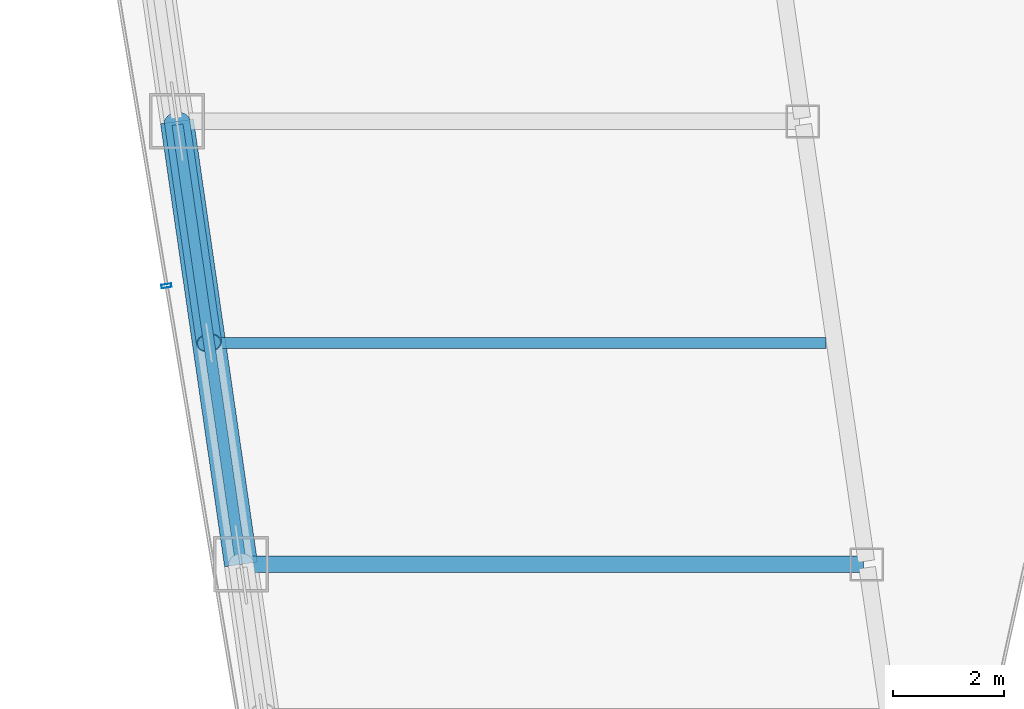
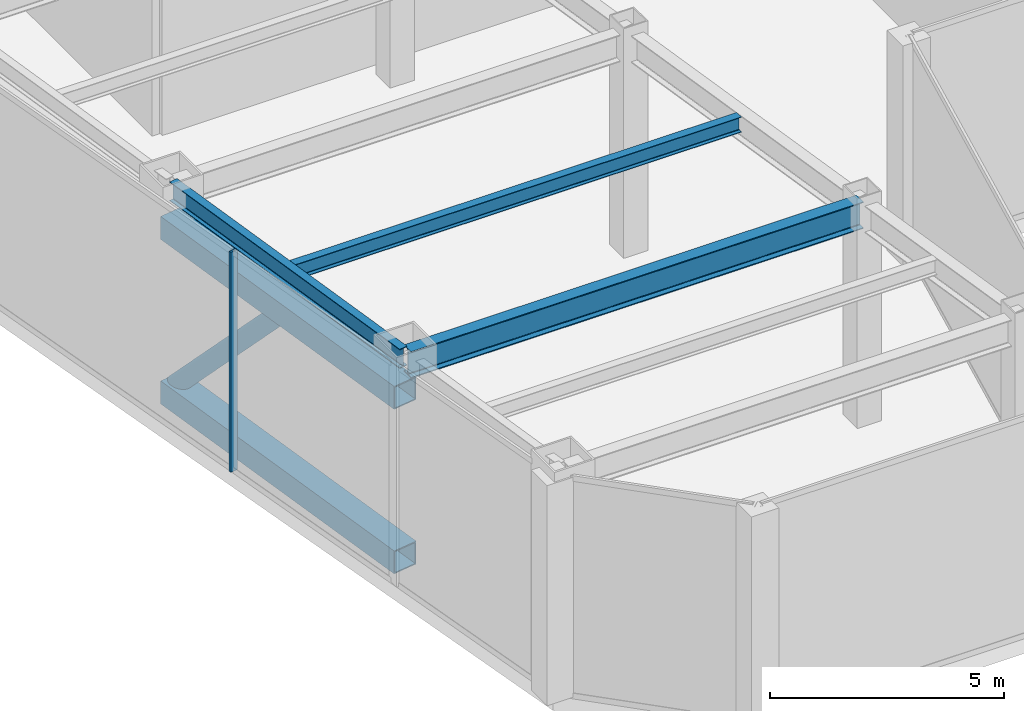
# One storey, part 4 of 30: 4 members, 3 beams, 1 element without a shape of its own.
"""IFC4 building model written with IfcOpenShell, lengths in metres."""

from ifc_helpers import new_model, si_unit, direction, frame, origin, origin_2d, place, context, subcontext, project, spatial, hollow_rectangle, hollow_circle, i_section, extrude, material, material_profile, profile_set, type_object, element, aggregate, save


model = new_model("IFC4")

# Units and contexts
model_context = context("Model", 3, precision=1e-05, world=origin(), true_north=direction((0.0, 1.0)))
body_context = subcontext(model_context, "Body", "Model", "MODEL_VIEW")
ifc_project = project(units=[si_unit("LENGTHUNIT", "METRE"), si_unit("AREAUNIT", "SQUARE_METRE"), si_unit("VOLUMEUNIT", "CUBIC_METRE"), si_unit("PLANEANGLEUNIT", "RADIAN"), si_unit("MASSUNIT", "GRAM", prefix="KILO")], contexts=[model_context])

# Site, building, storey
site_placement = place(None, origin())
site = spatial("IfcSite", under=ifc_project, at=site_placement, CompositionType="ELEMENT")
building_placement = place(site_placement, origin())
building = spatial("IfcBuilding", under=site, at=building_placement, Name="Saevonmaru Cultural Tower", CompositionType="ELEMENT")
storey_placement = place(building_placement, frame((0.0, 0.0, 123.60009765625)))
storey = spatial("IfcBuildingStorey", under=building, at=storey_placement, Name="L26", CompositionType="ELEMENT", Elevation=123.60009765625)

# Beams
ifc_material_1 = material(Name="Steel SM355", Category="steel")
ifc_material_profile_1 = material_profile(ifc_material_1, i_section(OverallWidth=0.300048828125, OverallDepth=0.699951171875, WebThickness=0.012939453125, FlangeThickness=0.02392578125, FilletRadius=0.02587890625, at=origin_2d()), Name="H-700x300x13x24")
ifc_profile_set_1 = profile_set([ifc_material_profile_1], Name="Steel SM355")
beam_type_1 = type_object("IfcBeamType", Name="BM-G-H700", PredefinedType="BEAM", material=ifc_profile_set_1)
beam_1_placement = place(storey_placement, frame((10.68798828125, 16.0, 5.39990234375), z_axis=(1.0, 0.0, 0.0), x_axis=(0.0, 1.0, 0.0)))
element("IfcBeam", 1, at=beam_1_placement, inside=storey, type_object=beam_type_1, Name="L26 West Wing Transverse Girder 2", PredefinedType="BEAM", context=body_context, shape_type="SweptSolid", body=[
    extrude(i_section(OverallWidth=0.300048828125, OverallDepth=0.699951171875, WebThickness=0.012939453125, FlangeThickness=0.02392578125, FilletRadius=0.02587890625, at=origin_2d()), origin(), (0.0, 0.0, 1.0), 11.179931640625),
])
ifc_material_profile_2 = material_profile(ifc_material_1, i_section(OverallWidth=0.199951171875, OverallDepth=0.39990234375, WebThickness=0.008056640625, FlangeThickness=0.012939453125, FilletRadius=0.01611328125, at=origin_2d()), Name="H-400x200x8x13")
ifc_profile_set_2 = profile_set([ifc_material_profile_2], Name="Steel SM355")
beam_type_2 = type_object("IfcBeamType", Name="BM-J-H400", PredefinedType="JOIST", material=ifc_profile_set_2)
beam_2_placement = place(storey_placement, frame((10.110107421875, 20.0, 5.5498046875), z_axis=(1.0, 0.0, 0.0), x_axis=(0.0, 1.0, 0.0)))
element("IfcBeam", 2, at=beam_2_placement, inside=storey, type_object=beam_type_2, Name="L26 West Wing Floor Joist 2", PredefinedType="JOIST", context=body_context, shape_type="SweptSolid", body=[
    extrude(i_section(OverallWidth=0.199951171875, OverallDepth=0.39990234375, WebThickness=0.008056640625, FlangeThickness=0.012939453125, FilletRadius=0.01611328125, at=origin_2d()), origin(), (0.0, 0.0, 1.0), 11.081787109375),
])
ifc_material_profile_3 = material_profile(ifc_material_1, i_section(OverallWidth=0.199951171875, OverallDepth=0.5, WebThickness=0.010009765625, FlangeThickness=0.01611328125, FilletRadius=0.02001953125, at=origin_2d()), Name="H-500x200x10x16")
ifc_profile_set_3 = profile_set([ifc_material_profile_3], Name="Steel SM355")
beam_type_3 = type_object("IfcBeamType", Name="BM-SP-H500", PredefinedType="SPANDREL", material=ifc_profile_set_3)
beam_3_placement = place(storey_placement, frame((10.619384765625, 16.059326171875, 5.5), z_axis=(-0.142992129437, 0.989723825579, 0.0), x_axis=(-0.989723825579, -0.142992129437, 0.0)))
element("IfcBeam", 3, at=beam_3_placement, inside=storey, type_object=beam_type_3, Name="L26 West Splayed Spandrel 2", PredefinedType="SPANDREL", context=body_context, shape_type="SweptSolid", body=[
    extrude(i_section(OverallWidth=0.199951171875, OverallDepth=0.5, WebThickness=0.010009765625, FlangeThickness=0.01611328125, FilletRadius=0.02001953125, at=origin_2d()), origin(), (0.0, 0.0, 1.0), 7.963134765625),
])

# Members
ifc_material_2 = material(Name="Steel SM420", Category="steel")
ifc_material_profile_4 = material_profile(ifc_material_2, hollow_circle(Radius=0.228515625, WallThickness=0.02001953125, at=origin_2d()), Name="CHS-457.2x20")
ifc_profile_set_4 = profile_set([ifc_material_profile_4], Name="Steel SM420")
member_type_1 = type_object("IfcMemberType", Name="MB-BBR-CHS457", PredefinedType="BRACE", material=ifc_profile_set_4)
member_1_placement = place(storey_placement, frame((9.471923828125, 24.0, 0.2998046875), z_axis=(0.097966677563, -0.677823498816, 0.72866853544), x_axis=(0.989716197255, 0.143044919135, 0.0)))
element("IfcMember", 4, at=member_1_placement, inside=storey, type_object=member_type_1, Name="L26 Belt Truss Diagonal BW2-2", PredefinedType="BRACE", context=body_context, shape_type="SweptSolid", body=[
    extrude(hollow_circle(Radius=0.228515625, WallThickness=0.02001953125, at=origin_2d()), origin(), (0.0, 0.0, 1.0), 5.901123046875),
])
ifc_material_profile_5 = material_profile(ifc_material_2, hollow_rectangle(XDim=0.60009765625, YDim=0.60009765625, WallThickness=0.028076171875, at=origin_2d()), Name="BOX-600x600x28")
ifc_profile_set_5 = profile_set([ifc_material_profile_5], Name="Steel SM420")
member_type_2 = type_object("IfcMemberType", Name="MB-BCH-BOX600", PredefinedType="CHORD", material=ifc_profile_set_5)
for number, where, z_axis, x_axis, name in (
    (5, (10.6279296875, 16.0, 0.2998046875), (-0.143015333226, 0.989720472892, 0.0), (-0.989720472892, -0.143015333226, 0.0), "L26 Belt Truss Bottom Chord BW2"),
    (6, (10.6279296875, 16.0, 4.599853515625), (-0.143015333226, 0.989720472892, 0.0), (-0.989720472892, -0.143015333226, 0.0), "L26 Belt Truss Top Chord BW2"),
):
    element("IfcMember", number, at=place(storey_placement, frame(where, z_axis=z_axis, x_axis=x_axis)), inside=storey, type_object=member_type_2, Name=name, PredefinedType="CHORD", context=body_context, shape_type="SweptSolid", body=[
        extrude(hollow_rectangle(XDim=0.60009765625, YDim=0.60009765625, WallThickness=0.028076171875, at=origin_2d()), origin(), (0.0, 0.0, 1.0), 8.0830078125),
    ])

# Curtain wall, member
ifc_material_3 = material(Name="Satin Bronze Anodised Aluminium", Category="aluminium")
curtain_wall_type = type_object("IfcCurtainWallType", Name="CW-TYP-A", PredefinedType="NOTDEFINED", material=ifc_material_3)
curtain_wall_placement = place(storey_placement, origin())
curtain_wall = element("IfcCurtainWall", 7, at=curtain_wall_placement, inside=storey, type_object=curtain_wall_type, Name="L26 Wind-Floor Acoustic Louvre Screen E12", PredefinedType="NOTDEFINED")
ifc_material_profile_6 = material_profile(ifc_material_3, hollow_rectangle(XDim=0.06494140625, YDim=0.179931640625, WallThickness=0.00390625, at=origin_2d()), Name="ALU-MULL-180x65x4")
ifc_profile_set_6 = profile_set([ifc_material_profile_6], Name="Satin Bronze Anodised Aluminium")
member_type_3 = type_object("IfcMemberType", Name="ML-CW-180x65", PredefinedType="MULLION", material=ifc_profile_set_6)
member_2_placement = place(storey_placement, frame((9.28173828125, 21.029541015625, 0.0), z_axis=(0.0, 0.0, 1.0), x_axis=(0.163998702345, -0.986460554523, 0.0)))
member_2 = element("IfcMember", 8, at=member_2_placement, type_object=member_type_3, Name="CW-TW-L26-E12 mullion 4", PredefinedType="MULLION", context=body_context, shape_type="SweptSolid", body=[
    extrude(hollow_rectangle(XDim=0.06494140625, YDim=0.179931640625, WallThickness=0.00390625, at=origin_2d()), origin(), (0.0, 0.0, 1.0), 5.75),
])
aggregate(curtain_wall, [member_2])

save(model, "model.ifc")
